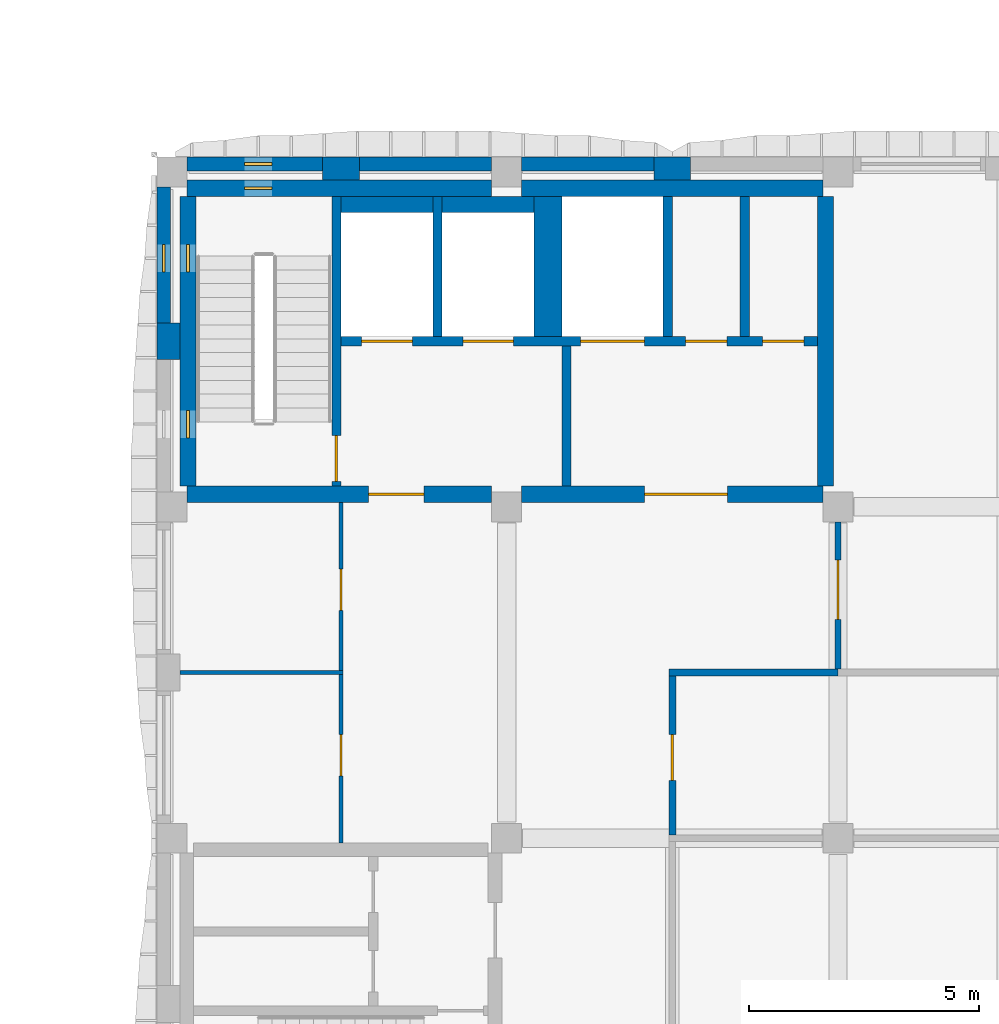
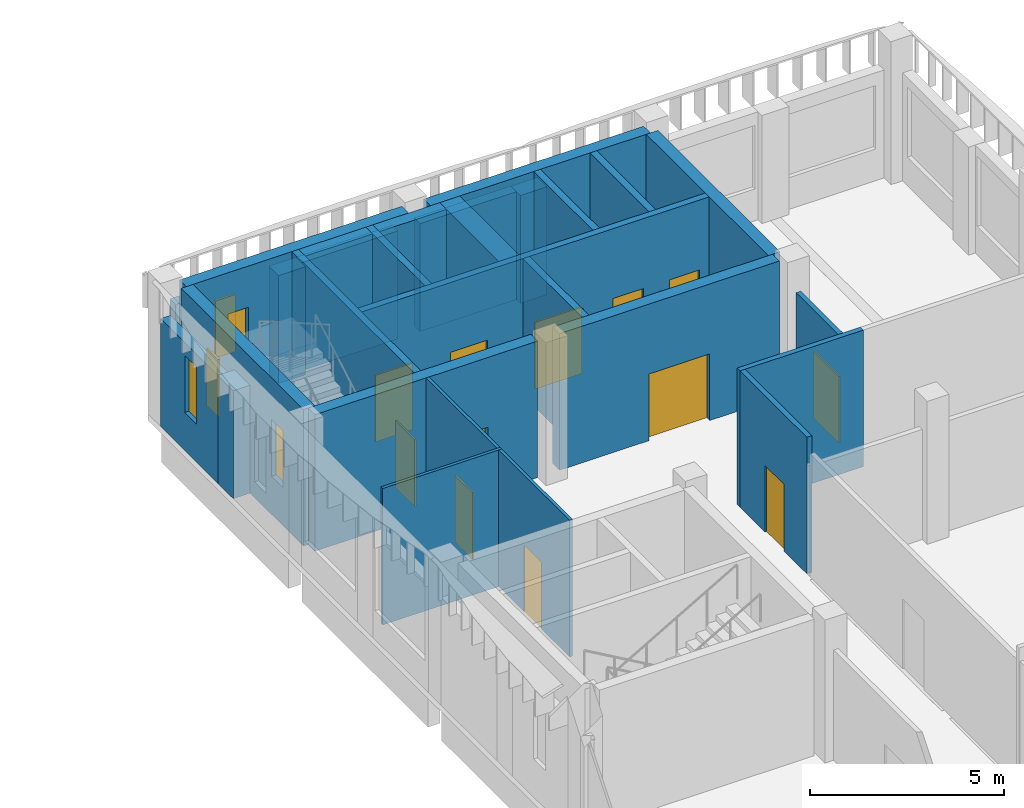
# One storey, part 15 of 30: 28 walls, 12 doors, 5 windows, 17 openings.
"""IFC4 building model written with IfcOpenShell, lengths in metres."""

from ifc_helpers import new_model, si_unit, direction, frame, frame_2d, origin, place, context, subcontext, project, spatial, rectangle, extrude, material, layer, layer_set, type_object, element, fill, save


model = new_model("IFC4")

# Units and contexts
model_context = context("Model", 3, precision=1e-05, world=origin(), true_north=direction((0.0, 1.0)))
body_context = subcontext(model_context, "Body", "Model", "MODEL_VIEW")
ifc_project = project(units=[si_unit("LENGTHUNIT", "METRE"), si_unit("AREAUNIT", "SQUARE_METRE"), si_unit("VOLUMEUNIT", "CUBIC_METRE"), si_unit("PLANEANGLEUNIT", "RADIAN"), si_unit("MASSUNIT", "GRAM", prefix="KILO")], contexts=[model_context])

# Site, building, storey
site_placement = place(None, origin())
site = spatial("IfcSite", under=ifc_project, at=site_placement, CompositionType="ELEMENT")
building_placement = place(site_placement, origin())
building = spatial("IfcBuilding", under=site, at=building_placement, Name="Ussher Court Research Institute", CompositionType="ELEMENT")
storey_placement = place(building_placement, frame((0.0, 0.0, 27.89990234375)))
storey = spatial("IfcBuildingStorey", under=building, at=storey_placement, Name="L06", CompositionType="ELEMENT", Elevation=27.89990234375)

# Wall, opening, window
ifc_material_1 = material(Name="Limestone facing on blockwork", Category="masonry")
ifc_layer_1 = layer(ifc_material_1, 0.300048828125)
ifc_layer_set_1 = layer_set([ifc_layer_1], Name="Limestone facing on blockwork")
wall_type_1 = type_object("IfcWallType", Name="External wall 300 stair enclosure", PredefinedType="SOLIDWALL", material=ifc_layer_set_1)
wall_1_placement = place(storey_placement, frame((81.949951171875, 29.60009765625, 0.0), z_axis=(0.0, 0.0, 1.0), x_axis=(0.0, 1.0, 0.0)))
wall_1 = element("IfcWall", 1, at=wall_1_placement, inside=storey, type_object=wall_type_1, Name="External wall EW5 L06", PredefinedType="SOLIDWALL", context=body_context, shape_type="SweptSolid", body=[
    extrude(rectangle(XDim=2.949951171875, YDim=0.300048828125, at=frame_2d((1.47509765625, 0.0))), origin(), (0.0, 0.0, 1.0), 3.400146484375),
])
opening_1_placement = place(wall_1_placement, frame((1.10009765625, 0.0, 1.199951171875)))
opening_1 = element("IfcOpeningElement", 2, at=opening_1_placement, cuts=wall_1, Name="Opening W25", PredefinedType="OPENING", context=body_context, shape_type="SweptSolid", body=[
    extrude(rectangle(XDim=0.60009765625, YDim=1.800048828125, at=frame_2d((0.300048828125, 0.89990234375))), frame((0.0, 0.16015625, 0.0), z_axis=(0.0, -1.0, 0.0), x_axis=(1.0, 0.0, 0.0)), (0.0, 0.0, 1.0), 0.320068359375),
])
ifc_material_2 = material(Name="Bronze anodised aluminium with double glazing", Category="aluminium")
window_type = type_object("IfcWindowType", Name="Stair light slot window 600x1800 fire-resisting glazing", PartitioningType="SINGLE_PANEL", PredefinedType="WINDOW", material=ifc_material_2)
window_1_placement = place(opening_1_placement, origin())
window_1 = element("IfcWindow", 3, at=window_1_placement, inside=storey, type_object=window_type, Name="Window W25 L06", OverallHeight=1.800048828125, OverallWidth=0.60009765625, PartitioningType="SINGLE_PANEL", PredefinedType="WINDOW", context=body_context, shape_type="SweptSolid", body=[
    extrude(rectangle(XDim=0.60009765625, YDim=1.800048828125, at=frame_2d((0.300048828125, 0.89990234375))), frame((0.0, 0.030029296875, 0.0), z_axis=(0.0, -1.0, 0.0), x_axis=(1.0, 0.0, 0.0)), (0.0, 0.0, 1.0), 0.06005859375),
])
fill(opening_1, window_1)

wall_2_placement = place(storey_placement, frame((82.449951171875, 33.050048828125, 0.0), z_axis=(0.0, 0.0, 1.0), x_axis=(1.0, 0.0, 0.0)))
wall_2 = element("IfcWall", 4, at=wall_2_placement, inside=storey, type_object=wall_type_1, Name="External wall EW5 L06", PredefinedType="SOLIDWALL", context=body_context, shape_type="SweptSolid", body=[
    extrude(rectangle(XDim=2.949951171875, YDim=0.300048828125, at=frame_2d((1.47509765625, 0.0))), origin(), (0.0, 0.0, 1.0), 3.400146484375),
])
opening_2_placement = place(wall_2_placement, frame((1.25, 0.0, 1.199951171875)))
opening_2 = element("IfcOpeningElement", 5, at=opening_2_placement, cuts=wall_2, Name="Opening W25", PredefinedType="OPENING", context=body_context, shape_type="SweptSolid", body=[
    extrude(rectangle(XDim=0.60009765625, YDim=1.800048828125, at=frame_2d((0.300048828125, 0.89990234375))), frame((0.0, 0.16015625, 0.0), z_axis=(0.0, -1.0, 0.0), x_axis=(1.0, 0.0, 0.0)), (0.0, 0.0, 1.0), 0.320068359375),
])
window_2_placement = place(opening_2_placement, origin())
window_2 = element("IfcWindow", 6, at=window_2_placement, inside=storey, type_object=window_type, Name="Window W25 L06", OverallHeight=1.800048828125, OverallWidth=0.60009765625, PartitioningType="SINGLE_PANEL", PredefinedType="WINDOW", context=body_context, shape_type="SweptSolid", body=[
    extrude(rectangle(XDim=0.60009765625, YDim=1.800048828125, at=frame_2d((0.300048828125, 0.89990234375))), frame((0.0, 0.030029296875, 0.0), z_axis=(0.0, -1.0, 0.0), x_axis=(1.0, 0.0, 0.0)), (0.0, 0.0, 1.0), 0.06005859375),
])
fill(opening_2, window_2)

# Walls
for number, where, z_axis, x_axis, name in (
    (7, (86.199951171875, 33.050048828125, 0.0), (0.0, 0.0, 1.0), (1.0, 0.0, 0.0), "External wall EW5 L06"),
    (8, (89.72509765625, 33.050048828125, 0.0), (0.0, 0.0, 1.0), (1.0, 0.0, 0.0), "External wall EW5 L06"),
):
    element("IfcWall", number, at=place(storey_placement, frame(where, z_axis=z_axis, x_axis=x_axis)), inside=storey, type_object=wall_type_1, Name=name, PredefinedType="SOLIDWALL", context=body_context, shape_type="SweptSolid", body=[
        extrude(rectangle(XDim=2.875, YDim=0.300048828125, at=frame_2d((1.4375, 0.0))), origin(), (0.0, 0.0, 1.0), 3.400146484375),
    ])
ifc_material_3 = material(Name="Plastered blockwork", Category="masonry")
ifc_layer_2 = layer(ifc_material_3, 0.14990234375)
ifc_layer_set_2 = layer_set([ifc_layer_2], Name="Plastered blockwork")
wall_type_2 = type_object("IfcWallType", Name="Fire partition blockwork 150 EI 60", PredefinedType="PARTITIONING", material=ifc_layer_set_2)
wall_3_placement = place(storey_placement, frame((92.925048828125, 22.0, 0.0), z_axis=(0.0, 0.0, 1.0), x_axis=(1.0, 0.0, 0.0)))
element("IfcWall", 9, at=wall_3_placement, inside=storey, type_object=wall_type_2, Name="Fire partition", PredefinedType="PARTITIONING", context=body_context, shape_type="SweptSolid", body=[
    extrude(rectangle(XDim=3.675048828125, YDim=0.14990234375, at=frame_2d((1.83740234375, 0.0))), origin(), (0.0, 0.0, 1.0), 4.300048828125),
])

# Wall, opening, door
wall_4_placement = place(storey_placement, frame((93.0, 21.925048828125, 0.0), z_axis=(0.0, 0.0, 1.0), x_axis=(0.0, -1.0, 0.0)))
wall_4 = element("IfcWall", 10, at=wall_4_placement, inside=storey, type_object=wall_type_2, Name="Fire partition", PredefinedType="PARTITIONING", context=body_context, shape_type="SweptSolid", body=[
    extrude(rectangle(XDim=3.449951171875, YDim=0.14990234375, at=frame_2d((1.72509765625, 0.0))), origin(), (0.0, 0.0, 1.0), 4.300048828125),
])
opening_3_placement = place(wall_4_placement, frame((1.27490234375, 0.0, 0.0)))
opening_3 = element("IfcOpeningElement", 11, at=opening_3_placement, cuts=wall_4, Name="Opening D06036", PredefinedType="OPENING", context=body_context, shape_type="SweptSolid", body=[
    extrude(rectangle(XDim=1.0, YDim=2.10009765625, at=frame_2d((0.5, 1.050048828125))), frame((0.0, 0.0849609375, 0.0), z_axis=(0.0, -1.0, 0.0), x_axis=(1.0, 0.0, 0.0)), (0.0, 0.0, 1.0), 0.169921875),
])
ifc_material_4 = material(Name="Painted steel faced fire door", Category="steel")
door_type_1 = type_object("IfcDoorType", Name="Store door 1000x2100 FD60", OperationType="NOTDEFINED", PredefinedType="DOOR", material=ifc_material_4)
door_1_placement = place(opening_3_placement, origin())
door_1 = element("IfcDoor", 12, at=door_1_placement, inside=storey, type_object=door_type_1, Name="Door D06036", OperationType="SINGLE_SWING_RIGHT", OverallHeight=2.10009765625, OverallWidth=1.0, PredefinedType="DOOR", context=body_context, shape_type="SweptSolid", body=[
    extrude(rectangle(XDim=1.0, YDim=2.10009765625, at=frame_2d((0.5, 1.050048828125))), frame((0.0, 0.02490234375, 0.0), z_axis=(0.0, -1.0, 0.0), x_axis=(1.0, 0.0, 0.0)), (0.0, 0.0, 1.0), 0.050048828125),
])
fill(opening_3, door_1)

ifc_material_5 = material(Name="Plastered blockwork", Category="masonry")
ifc_layer_3 = layer(ifc_material_5, 0.139892578125)
ifc_layer_set_3 = layer_set([ifc_layer_3], Name="Plastered blockwork")
wall_type_3 = type_object("IfcWallType", Name="Laboratory blockwork partition 140", PredefinedType="PARTITIONING", material=ifc_layer_set_3)
wall_5_placement = place(storey_placement, frame((96.60009765625, 25.27490234375, 0.0), z_axis=(0.0, 0.0, 1.0), x_axis=(0.0, -1.0, 0.0)))
wall_5 = element("IfcWall", 13, at=wall_5_placement, inside=storey, type_object=wall_type_3, Name="Partition", PredefinedType="PARTITIONING", context=body_context, shape_type="SweptSolid", body=[
    extrude(rectangle(XDim=3.199951171875, YDim=0.139892578125, at=frame_2d((1.60009765625, 0.0))), origin(), (0.0, 0.0, 1.0), 3.47021484375),
])
opening_4_placement = place(wall_5_placement, frame((0.824951171875, 0.0, 0.0)))
opening_4 = element("IfcOpeningElement", 14, at=opening_4_placement, cuts=wall_5, Name="Opening D06040", PredefinedType="OPENING", context=body_context, shape_type="SweptSolid", body=[
    extrude(rectangle(XDim=1.300048828125, YDim=2.10009765625, at=frame_2d((0.64990234375, 1.050048828125))), frame((0.0, 0.080078125, 0.0), z_axis=(0.0, -1.0, 0.0), x_axis=(1.0, 0.0, 0.0)), (0.0, 0.0, 1.0), 0.159912109375),
])
ifc_material_6 = material(Name="Veneered timber door", Category="wood")
door_type_2 = type_object("IfcDoorType", Name="Specimen laboratory door 1300x2100", OperationType="NOTDEFINED", PredefinedType="DOOR", material=ifc_material_6)
door_2_placement = place(opening_4_placement, origin())
door_2 = element("IfcDoor", 15, at=door_2_placement, inside=storey, type_object=door_type_2, Name="Door D06040", OperationType="SINGLE_SWING_LEFT", OverallHeight=2.10009765625, OverallWidth=1.300048828125, PredefinedType="DOOR", context=body_context, shape_type="SweptSolid", body=[
    extrude(rectangle(XDim=1.300048828125, YDim=2.10009765625, at=frame_2d((0.64990234375, 1.050048828125))), frame((0.0, 0.02490234375, 0.0), z_axis=(0.0, -1.0, 0.0), x_axis=(1.0, 0.0, 0.0)), (0.0, 0.0, 1.0), 0.050048828125),
])
fill(opening_4, door_2)

# Walls
ifc_material_7 = material(Name="Blockwork with cream render", Category="masonry")
ifc_layer_4 = layer(ifc_material_7, 0.5)
ifc_layer_set_4 = layer_set([ifc_layer_4], Name="Blockwork with cream render")
wall_type_4 = type_object("IfcWallType", Name="Pier 800x500 cream render", PredefinedType="SOLIDWALL", material=ifc_layer_set_4)
for number, where, z_axis, x_axis, name in (
    (16, (82.050048828125, 28.800048828125, 0.0), (0.0, 0.0, 1.0), (0.0, 1.0, 0.0), "Pier PR1 L06"),
    (17, (85.39990234375, 32.949951171875, 0.0), (0.0, 0.0, 1.0), (1.0, 0.0, 0.0), "Pier PR1 L06"),
):
    element("IfcWall", number, at=place(storey_placement, frame(where, z_axis=z_axis, x_axis=x_axis)), inside=storey, type_object=wall_type_4, Name=name, PredefinedType="SOLIDWALL", context=body_context, shape_type="SweptSolid", body=[
        extrude(rectangle(XDim=0.800048828125, YDim=0.5, at=frame_2d((0.39990234375, 0.0))), origin(), (0.0, 0.0, 1.0), 3.400146484375),
    ])
wall_6_placement = place(storey_placement, frame((92.60009765625, 32.949951171875, 0.0), z_axis=(0.0, 0.0, 1.0), x_axis=(1.0, 0.0, 0.0)))
element("IfcWall", 18, at=wall_6_placement, inside=storey, type_object=wall_type_4, Name="Pier PR1 L06", PredefinedType="SOLIDWALL", context=body_context, shape_type="SweptSolid", body=[
    extrude(rectangle(XDim=0.7998046875, YDim=0.5, at=frame_2d((0.39990234375, 0.0))), origin(), (0.0, 0.0, 1.0), 3.400146484375),
])

# Wall, opening, door
ifc_material_8 = material(Name="Concrete C35/45", Category="concrete")
ifc_layer_5 = layer(ifc_material_8, 0.199951171875)
ifc_layer_set_5 = layer_set([ifc_layer_5], Name="Concrete C35/45")
wall_type_5 = type_object("IfcWallType", Name="RC core wall 200", PredefinedType="SHEAR", material=ifc_layer_set_5)
wall_7_placement = place(storey_placement, frame((85.699951171875, 26.050048828125, 0.0), z_axis=(0.0, 0.0, 1.0), x_axis=(0.0, 1.0, 0.0)))
wall_7 = element("IfcWall", 19, at=wall_7_placement, inside=storey, type_object=wall_type_5, Name="Core wall T1", PredefinedType="SHEAR", context=body_context, shape_type="SweptSolid", body=[
    extrude(rectangle(XDim=6.300048828125, YDim=0.199951171875, at=frame_2d((3.14990234375, 0.0))), origin(), (0.0, 0.0, 1.0), 4.300048828125),
])
opening_5_placement = place(wall_7_placement, frame((0.10009765625, 0.0, 0.0)))
opening_5 = element("IfcOpeningElement", 20, at=opening_5_placement, cuts=wall_7, Name="Opening D06025", PredefinedType="OPENING", context=body_context, shape_type="SweptSolid", body=[
    extrude(rectangle(XDim=1.0, YDim=2.10009765625, at=frame_2d((0.5, 1.050048828125))), frame((0.0, 0.10986328125, 0.0), z_axis=(0.0, -1.0, 0.0), x_axis=(1.0, 0.0, 0.0)), (0.0, 0.0, 1.0), 0.219970703125),
])
ifc_material_9 = material(Name="Painted steel faced fire door", Category="steel")
door_type_3 = type_object("IfcDoorType", Name="Fire door 1000x2100 FD60", OperationType="NOTDEFINED", PredefinedType="DOOR", material=ifc_material_9)
door_3_placement = place(opening_5_placement, origin())
door_3 = element("IfcDoor", 21, at=door_3_placement, inside=storey, type_object=door_type_3, Name="Door D06025", OperationType="SINGLE_SWING_LEFT", OverallHeight=2.10009765625, OverallWidth=1.0, PredefinedType="DOOR", context=body_context, shape_type="SweptSolid", body=[
    extrude(rectangle(XDim=1.0, YDim=2.10009765625, at=frame_2d((0.5, 1.050048828125))), frame((0.0, 0.02490234375, 0.0), z_axis=(0.0, -1.0, 0.0), x_axis=(1.0, 0.0, 0.0)), (0.0, 0.0, 1.0), 0.050048828125),
])
fill(opening_5, door_3)

# Wall
wall_8_placement = place(storey_placement, frame((90.699951171875, 26.050048828125, 0.0), z_axis=(0.0, 0.0, 1.0), x_axis=(0.0, 1.0, 0.0)))
element("IfcWall", 22, at=wall_8_placement, inside=storey, type_object=wall_type_5, Name="Core wall T1", PredefinedType="SHEAR", context=body_context, shape_type="SweptSolid", body=[
    extrude(rectangle(XDim=3.050048828125, YDim=0.199951171875, at=frame_2d((1.52490234375, 0.0))), origin(), (0.0, 0.0, 1.0), 4.300048828125),
])

# Wall, openings, doors
wall_9_placement = place(storey_placement, frame((96.14990234375, 29.199951171875, 0.0), z_axis=(0.0, 0.0, 1.0), x_axis=(-1.0, 0.0, 0.0)))
wall_9 = element("IfcWall", 23, at=wall_9_placement, inside=storey, type_object=wall_type_5, Name="Core wall T1", PredefinedType="SHEAR", context=body_context, shape_type="SweptSolid", body=[
    extrude(rectangle(XDim=10.349853515625, YDim=0.199951171875, at=frame_2d((5.1748046875, 0.0))), origin(), (0.0, 0.0, 1.0), 4.300048828125),
])
opening_6_placement = place(wall_9_placement, frame((8.800048828125, 0.0, 0.0)))
opening_6 = element("IfcOpeningElement", 24, at=opening_6_placement, cuts=wall_9, Name="Opening LD68", PredefinedType="OPENING", context=body_context, shape_type="SweptSolid", body=[
    extrude(rectangle(XDim=1.10009765625, YDim=2.10009765625, at=frame_2d((0.550048828125, 1.050048828125))), frame((0.0, 0.10986328125, 0.0), z_axis=(0.0, -1.0, 0.0), x_axis=(1.0, 0.0, 0.0)), (0.0, 0.0, 1.0), 0.219970703125),
])
opening_7_placement = place(wall_9_placement, frame((6.60009765625, 0.0, 0.0)))
opening_7 = element("IfcOpeningElement", 25, at=opening_7_placement, cuts=wall_9, Name="Opening LD69", PredefinedType="OPENING", context=body_context, shape_type="SweptSolid", body=[
    extrude(rectangle(XDim=1.10009765625, YDim=2.10009765625, at=frame_2d((0.550048828125, 1.050048828125))), frame((0.0, 0.10986328125, 0.0), z_axis=(0.0, -1.0, 0.0), x_axis=(1.0, 0.0, 0.0)), (0.0, 0.0, 1.0), 0.219970703125),
])
opening_8_placement = place(wall_9_placement, frame((3.75, 0.0, 0.0)))
opening_8 = element("IfcOpeningElement", 26, at=opening_8_placement, cuts=wall_9, Name="Opening LD70", PredefinedType="OPENING", context=body_context, shape_type="SweptSolid", body=[
    extrude(rectangle(XDim=1.39990234375, YDim=2.10009765625, at=frame_2d((0.699951171875, 1.050048828125))), frame((0.0, 0.10986328125, 0.0), z_axis=(0.0, -1.0, 0.0), x_axis=(1.0, 0.0, 0.0)), (0.0, 0.0, 1.0), 0.219970703125),
])
opening_9_placement = place(wall_9_placement, frame((1.96240234375, 0.0, 0.0)))
opening_9 = element("IfcOpeningElement", 27, at=opening_9_placement, cuts=wall_9, Name="Opening D06038", PredefinedType="OPENING", context=body_context, shape_type="SweptSolid", body=[
    extrude(rectangle(XDim=0.89990234375, YDim=2.10009765625, at=frame_2d((0.449951171875, 1.050048828125))), frame((0.0, 0.10986328125, 0.0), z_axis=(0.0, -1.0, 0.0), x_axis=(1.0, 0.0, 0.0)), (0.0, 0.0, 1.0), 0.219970703125),
])
opening_10_placement = place(wall_9_placement, frame((0.28759765625, 0.0, 0.0)))
opening_10 = element("IfcOpeningElement", 28, at=opening_10_placement, cuts=wall_9, Name="Opening D06039", PredefinedType="OPENING", context=body_context, shape_type="SweptSolid", body=[
    extrude(rectangle(XDim=0.89990234375, YDim=2.10009765625, at=frame_2d((0.449951171875, 1.050048828125))), frame((0.0, 0.10986328125, 0.0), z_axis=(0.0, -1.0, 0.0), x_axis=(1.0, 0.0, 0.0)), (0.0, 0.0, 1.0), 0.219970703125),
])
ifc_material_10 = material(Name="Painted steel faced fire door", Category="steel")
door_type_4 = type_object("IfcDoorType", Name="Fire door 900x2100 FD60", OperationType="NOTDEFINED", PredefinedType="DOOR", material=ifc_material_10)
door_4_placement = place(opening_9_placement, origin())
door_4 = element("IfcDoor", 29, at=door_4_placement, inside=storey, type_object=door_type_4, Name="Door D06038", OperationType="SINGLE_SWING_LEFT", OverallHeight=2.10009765625, OverallWidth=0.89990234375, PredefinedType="DOOR", context=body_context, shape_type="SweptSolid", body=[
    extrude(rectangle(XDim=0.89990234375, YDim=2.10009765625, at=frame_2d((0.449951171875, 1.050048828125))), frame((0.0, 0.02490234375, 0.0), z_axis=(0.0, -1.0, 0.0), x_axis=(1.0, 0.0, 0.0)), (0.0, 0.0, 1.0), 0.050048828125),
])
fill(opening_9, door_4)
door_5_placement = place(opening_10_placement, origin())
door_5 = element("IfcDoor", 30, at=door_5_placement, inside=storey, type_object=door_type_4, Name="Door D06039", OperationType="SINGLE_SWING_LEFT", OverallHeight=2.10009765625, OverallWidth=0.89990234375, PredefinedType="DOOR", context=body_context, shape_type="SweptSolid", body=[
    extrude(rectangle(XDim=0.89990234375, YDim=2.10009765625, at=frame_2d((0.449951171875, 1.050048828125))), frame((0.0, 0.02490234375, 0.0), z_axis=(0.0, -1.0, 0.0), x_axis=(1.0, 0.0, 0.0)), (0.0, 0.0, 1.0), 0.050048828125),
])
fill(opening_10, door_5)
ifc_material_11 = material(Name="Stainless steel lift door", Category="steel")
door_type_5 = type_object("IfcDoorType", Name="Lift landing door 1100x2100 sliding", OperationType="DOUBLE_DOOR_SLIDING", PredefinedType="DOOR", material=ifc_material_11)
door_6_placement = place(opening_6_placement, origin())
door_6 = element("IfcDoor", 31, at=door_6_placement, inside=storey, type_object=door_type_5, Name="Landing door T1-1 L06", OperationType="DOUBLE_DOOR_SLIDING", OverallHeight=2.10009765625, OverallWidth=1.10009765625, PredefinedType="DOOR", context=body_context, shape_type="SweptSolid", body=[
    extrude(rectangle(XDim=1.10009765625, YDim=2.10009765625, at=frame_2d((0.550048828125, 1.050048828125))), frame((0.0, 0.02490234375, 0.0), z_axis=(0.0, -1.0, 0.0), x_axis=(1.0, 0.0, 0.0)), (0.0, 0.0, 1.0), 0.050048828125),
])
fill(opening_6, door_6)
door_7_placement = place(opening_7_placement, origin())
door_7 = element("IfcDoor", 32, at=door_7_placement, inside=storey, type_object=door_type_5, Name="Landing door T1-2 L06", OperationType="DOUBLE_DOOR_SLIDING", OverallHeight=2.10009765625, OverallWidth=1.10009765625, PredefinedType="DOOR", context=body_context, shape_type="SweptSolid", body=[
    extrude(rectangle(XDim=1.10009765625, YDim=2.10009765625, at=frame_2d((0.550048828125, 1.050048828125))), frame((0.0, 0.02490234375, 0.0), z_axis=(0.0, -1.0, 0.0), x_axis=(1.0, 0.0, 0.0)), (0.0, 0.0, 1.0), 0.050048828125),
])
fill(opening_7, door_7)
ifc_material_12 = material(Name="Stainless steel lift door", Category="steel")
door_type_6 = type_object("IfcDoorType", Name="Lift landing door 1400x2100 sliding", OperationType="DOUBLE_DOOR_SLIDING", PredefinedType="DOOR", material=ifc_material_12)
door_8_placement = place(opening_8_placement, origin())
door_8 = element("IfcDoor", 33, at=door_8_placement, inside=storey, type_object=door_type_6, Name="Landing door T1-3 L06", OperationType="DOUBLE_DOOR_SLIDING", OverallHeight=2.10009765625, OverallWidth=1.39990234375, PredefinedType="DOOR", context=body_context, shape_type="SweptSolid", body=[
    extrude(rectangle(XDim=1.39990234375, YDim=2.10009765625, at=frame_2d((0.699951171875, 1.050048828125))), frame((0.0, 0.02490234375, 0.0), z_axis=(0.0, -1.0, 0.0), x_axis=(1.0, 0.0, 0.0)), (0.0, 0.0, 1.0), 0.050048828125),
])
fill(opening_8, door_8)

# Walls
for number, where, z_axis, x_axis, name in (
    (34, (87.89990234375, 29.300048828125, 0.0), (0.0, 0.0, 1.0), (0.0, 1.0, 0.0), "Core wall T1"),
    (35, (92.89990234375, 29.300048828125, 0.0), (0.0, 0.0, 1.0), (0.0, 1.0, 0.0), "Core wall T1"),
    (36, (94.574951171875, 29.300048828125, 0.0), (0.0, 0.0, 1.0), (0.0, 1.0, 0.0), "Core wall T1"),
):
    element("IfcWall", number, at=place(storey_placement, frame(where, z_axis=z_axis, x_axis=x_axis)), inside=storey, type_object=wall_type_5, Name=name, PredefinedType="SHEAR", context=body_context, shape_type="SweptSolid", body=[
        extrude(rectangle(XDim=3.050048828125, YDim=0.199951171875, at=frame_2d((1.52490234375, 0.0))), origin(), (0.0, 0.0, 1.0), 4.300048828125),
    ])

# Wall, opening, door
ifc_material_13 = material(Name="Concrete C35/45", Category="concrete")
ifc_layer_6 = layer(ifc_material_13, 0.35009765625)
ifc_layer_set_6 = layer_set([ifc_layer_6], Name="Concrete C35/45")
wall_type_6 = type_object("IfcWallType", Name="RC core wall 350", PredefinedType="SHEAR", material=ifc_layer_set_6)
wall_10_placement = place(storey_placement, frame((82.449951171875, 25.875, 0.0), z_axis=(0.0, 0.0, 1.0), x_axis=(1.0, 0.0, 0.0)))
wall_10 = element("IfcWall", 37, at=wall_10_placement, inside=storey, type_object=wall_type_6, Name="Core wall T1", PredefinedType="SHEAR", context=body_context, shape_type="SweptSolid", body=[
    extrude(rectangle(XDim=6.625, YDim=0.35009765625, at=frame_2d((3.3125, 0.0))), origin(), (0.0, 0.0, 1.0), 4.300048828125),
])
opening_11_placement = place(wall_10_placement, frame((3.949951171875, 0.0, 0.0)))
opening_11 = element("IfcOpeningElement", 38, at=opening_11_placement, cuts=wall_10, Name="Opening D06030", PredefinedType="OPENING", context=body_context, shape_type="SweptSolid", body=[
    extrude(rectangle(XDim=1.199951171875, YDim=2.10009765625, at=frame_2d((0.60009765625, 1.050048828125))), frame((0.0, 0.18505859375, 0.0), z_axis=(0.0, -1.0, 0.0), x_axis=(1.0, 0.0, 0.0)), (0.0, 0.0, 1.0), 0.3701171875),
])
ifc_material_14 = material(Name="Painted steel faced fire door", Category="steel")
door_type_7 = type_object("IfcDoorType", Name="Fire door 1200x2100 FD60", OperationType="NOTDEFINED", PredefinedType="DOOR", material=ifc_material_14)
door_9_placement = place(opening_11_placement, origin())
door_9 = element("IfcDoor", 39, at=door_9_placement, inside=storey, type_object=door_type_7, Name="Door D06030", OperationType="SINGLE_SWING_RIGHT", OverallHeight=2.10009765625, OverallWidth=1.199951171875, PredefinedType="DOOR", context=body_context, shape_type="SweptSolid", body=[
    extrude(rectangle(XDim=1.199951171875, YDim=2.10009765625, at=frame_2d((0.60009765625, 1.050048828125))), frame((0.0, 0.02490234375, 0.0), z_axis=(0.0, -1.0, 0.0), x_axis=(1.0, 0.0, 0.0)), (0.0, 0.0, 1.0), 0.050048828125),
])
fill(opening_11, door_9)

wall_11_placement = place(storey_placement, frame((89.72509765625, 25.875, 0.0), z_axis=(0.0, 0.0, 1.0), x_axis=(1.0, 0.0, 0.0)))
wall_11 = element("IfcWall", 40, at=wall_11_placement, inside=storey, type_object=wall_type_6, Name="Core wall T1", PredefinedType="SHEAR", context=body_context, shape_type="SweptSolid", body=[
    extrude(rectangle(XDim=6.5498046875, YDim=0.35009765625, at=frame_2d((3.27490234375, 0.0))), origin(), (0.0, 0.0, 1.0), 4.300048828125),
])
opening_12_placement = place(wall_11_placement, frame((2.675048828125, 0.0, 0.0)))
opening_12 = element("IfcOpeningElement", 41, at=opening_12_placement, cuts=wall_11, Name="Opening D06037", PredefinedType="OPENING", context=body_context, shape_type="SweptSolid", body=[
    extrude(rectangle(XDim=1.800048828125, YDim=2.10009765625, at=frame_2d((0.89990234375, 1.050048828125))), frame((0.0, 0.18505859375, 0.0), z_axis=(0.0, -1.0, 0.0), x_axis=(1.0, 0.0, 0.0)), (0.0, 0.0, 1.0), 0.3701171875),
])
ifc_material_15 = material(Name="Painted steel faced fire door", Category="steel")
door_type_8 = type_object("IfcDoorType", Name="Fire door 1800x2100 FD60 double leaf", OperationType="DOUBLE_DOOR_SINGLE_SWING", PredefinedType="DOOR", material=ifc_material_15)
door_10_placement = place(opening_12_placement, origin())
door_10 = element("IfcDoor", 42, at=door_10_placement, inside=storey, type_object=door_type_8, Name="Door D06037", OperationType="SINGLE_SWING_LEFT", OverallHeight=2.10009765625, OverallWidth=1.800048828125, PredefinedType="DOOR", context=body_context, shape_type="SweptSolid", body=[
    extrude(rectangle(XDim=1.800048828125, YDim=2.10009765625, at=frame_2d((0.89990234375, 1.050048828125))), frame((0.0, 0.02490234375, 0.0), z_axis=(0.0, -1.0, 0.0), x_axis=(1.0, 0.0, 0.0)), (0.0, 0.0, 1.0), 0.050048828125),
])
fill(opening_12, door_10)

# Wall, opening, window
wall_12_placement = place(storey_placement, frame((82.449951171875, 32.52490234375, 0.0), z_axis=(0.0, 0.0, 1.0), x_axis=(1.0, 0.0, 0.0)))
wall_12 = element("IfcWall", 43, at=wall_12_placement, inside=storey, type_object=wall_type_6, Name="Core wall T1", PredefinedType="SHEAR", context=body_context, shape_type="SweptSolid", body=[
    extrude(rectangle(XDim=6.625, YDim=0.35009765625, at=frame_2d((3.3125, 0.0))), origin(), (0.0, 0.0, 1.0), 4.300048828125),
])
opening_13_placement = place(wall_12_placement, frame((1.25, 0.0, 1.199951171875)))
opening_13 = element("IfcOpeningElement", 44, at=opening_13_placement, cuts=wall_12, Name="Opening W25", PredefinedType="OPENING", context=body_context, shape_type="SweptSolid", body=[
    extrude(rectangle(XDim=0.60009765625, YDim=1.800048828125, at=frame_2d((0.300048828125, 0.89990234375))), frame((0.0, 0.18505859375, 0.0), z_axis=(0.0, -1.0, 0.0), x_axis=(1.0, 0.0, 0.0)), (0.0, 0.0, 1.0), 0.3701171875),
])
window_3_placement = place(opening_13_placement, origin())
window_3 = element("IfcWindow", 45, at=window_3_placement, inside=storey, type_object=window_type, Name="Window stair light T1 L06", OverallHeight=1.800048828125, OverallWidth=0.60009765625, PartitioningType="SINGLE_PANEL", PredefinedType="WINDOW", context=body_context, shape_type="SweptSolid", body=[
    extrude(rectangle(XDim=0.60009765625, YDim=1.800048828125, at=frame_2d((0.300048828125, 0.89990234375))), frame((0.0, 0.030029296875, 0.0), z_axis=(0.0, -1.0, 0.0), x_axis=(1.0, 0.0, 0.0)), (0.0, 0.0, 1.0), 0.06005859375),
])
fill(opening_13, window_3)

# Wall
wall_13_placement = place(storey_placement, frame((89.72509765625, 32.52490234375, 0.0), z_axis=(0.0, 0.0, 1.0), x_axis=(1.0, 0.0, 0.0)))
element("IfcWall", 46, at=wall_13_placement, inside=storey, type_object=wall_type_6, Name="Core wall T1", PredefinedType="SHEAR", context=body_context, shape_type="SweptSolid", body=[
    extrude(rectangle(XDim=6.5498046875, YDim=0.35009765625, at=frame_2d((3.27490234375, 0.0))), origin(), (0.0, 0.0, 1.0), 4.300048828125),
])

# Wall, openings, windows
wall_14_placement = place(storey_placement, frame((82.47509765625, 26.050048828125, 0.0), z_axis=(0.0, 0.0, 1.0), x_axis=(0.0, 1.0, 0.0)))
wall_14 = element("IfcWall", 47, at=wall_14_placement, inside=storey, type_object=wall_type_6, Name="Core wall T1", PredefinedType="SHEAR", context=body_context, shape_type="SweptSolid", body=[
    extrude(rectangle(XDim=6.300048828125, YDim=0.35009765625, at=frame_2d((3.14990234375, 0.0))), origin(), (0.0, 0.0, 1.0), 4.300048828125),
])
opening_14_placement = place(wall_14_placement, frame((1.050048828125, 0.0, 1.199951171875)))
opening_14 = element("IfcOpeningElement", 48, at=opening_14_placement, cuts=wall_14, Name="Opening W25", PredefinedType="OPENING", context=body_context, shape_type="SweptSolid", body=[
    extrude(rectangle(XDim=0.60009765625, YDim=1.800048828125, at=frame_2d((0.300048828125, 0.89990234375))), frame((0.0, 0.18505859375, 0.0), z_axis=(0.0, -1.0, 0.0), x_axis=(1.0, 0.0, 0.0)), (0.0, 0.0, 1.0), 0.3701171875),
])
opening_15_placement = place(wall_14_placement, frame((4.64990234375, 0.0, 1.199951171875)))
opening_15 = element("IfcOpeningElement", 49, at=opening_15_placement, cuts=wall_14, Name="Opening W25", PredefinedType="OPENING", context=body_context, shape_type="SweptSolid", body=[
    extrude(rectangle(XDim=0.60009765625, YDim=1.800048828125, at=frame_2d((0.300048828125, 0.89990234375))), frame((0.0, 0.18505859375, 0.0), z_axis=(0.0, -1.0, 0.0), x_axis=(1.0, 0.0, 0.0)), (0.0, 0.0, 1.0), 0.3701171875),
])
window_4_placement = place(opening_14_placement, origin())
window_4 = element("IfcWindow", 50, at=window_4_placement, inside=storey, type_object=window_type, Name="Window stair light T1 L06", OverallHeight=1.800048828125, OverallWidth=0.60009765625, PartitioningType="SINGLE_PANEL", PredefinedType="WINDOW", context=body_context, shape_type="SweptSolid", body=[
    extrude(rectangle(XDim=0.60009765625, YDim=1.800048828125, at=frame_2d((0.300048828125, 0.89990234375))), frame((0.0, 0.030029296875, 0.0), z_axis=(0.0, -1.0, 0.0), x_axis=(1.0, 0.0, 0.0)), (0.0, 0.0, 1.0), 0.06005859375),
])
fill(opening_14, window_4)
window_5_placement = place(opening_15_placement, origin())
window_5 = element("IfcWindow", 51, at=window_5_placement, inside=storey, type_object=window_type, Name="Window stair light T1 L06", OverallHeight=1.800048828125, OverallWidth=0.60009765625, PartitioningType="SINGLE_PANEL", PredefinedType="WINDOW", context=body_context, shape_type="SweptSolid", body=[
    extrude(rectangle(XDim=0.60009765625, YDim=1.800048828125, at=frame_2d((0.300048828125, 0.89990234375))), frame((0.0, 0.030029296875, 0.0), z_axis=(0.0, -1.0, 0.0), x_axis=(1.0, 0.0, 0.0)), (0.0, 0.0, 1.0), 0.06005859375),
])
fill(opening_15, window_5)

# Walls
wall_15_placement = place(storey_placement, frame((96.324951171875, 26.050048828125, 0.0), z_axis=(0.0, 0.0, 1.0), x_axis=(0.0, 1.0, 0.0)))
element("IfcWall", 52, at=wall_15_placement, inside=storey, type_object=wall_type_6, Name="Core wall T1", PredefinedType="SHEAR", context=body_context, shape_type="SweptSolid", body=[
    extrude(rectangle(XDim=6.300048828125, YDim=0.35009765625, at=frame_2d((3.14990234375, 0.0))), origin(), (0.0, 0.0, 1.0), 4.300048828125),
])
for number, where, z_axis, x_axis, name in (
    (53, (85.800048828125, 32.175048828125, 0.0), (0.0, 0.0, 1.0), (1.0, 0.0, 0.0), "Core wall T1"),
    (54, (88.0, 32.175048828125, 0.0), (0.0, 0.0, 1.0), (1.0, 0.0, 0.0), "Core wall T1"),
):
    element("IfcWall", number, at=place(storey_placement, frame(where, z_axis=z_axis, x_axis=x_axis)), inside=storey, type_object=wall_type_6, Name=name, PredefinedType="SHEAR", context=body_context, shape_type="SweptSolid", body=[
        extrude(rectangle(XDim=2.0, YDim=0.35009765625, at=frame_2d((1.0, 0.0))), origin(), (0.0, 0.0, 1.0), 4.300048828125),
    ])
ifc_material_16 = material(Name="Concrete C35/45", Category="concrete")
ifc_layer_7 = layer(ifc_material_16, 0.60009765625)
ifc_layer_set_7 = layer_set([ifc_layer_7], Name="Concrete C35/45")
wall_type_7 = type_object("IfcWallType", Name="RC core wall 600", PredefinedType="SHEAR", material=ifc_layer_set_7)
wall_16_placement = place(storey_placement, frame((90.300048828125, 29.300048828125, 0.0), z_axis=(0.0, 0.0, 1.0), x_axis=(0.0, 1.0, 0.0)))
element("IfcWall", 55, at=wall_16_placement, inside=storey, type_object=wall_type_7, Name="Core wall T1", PredefinedType="SHEAR", context=body_context, shape_type="SweptSolid", body=[
    extrude(rectangle(XDim=3.050048828125, YDim=0.60009765625, at=frame_2d((1.52490234375, 0.0))), origin(), (0.0, 0.0, 1.0), 4.300048828125),
])
ifc_material_17 = material(Name="Moisture-resistant board on steel studs", Category="steel")
ifc_layer_8 = layer(ifc_material_17, 0.090087890625)
ifc_layer_set_8 = layer_set([ifc_layer_8], Name="Moisture-resistant board on steel studs")
wall_type_8 = type_object("IfcWallType", Name="WC lining partition 90", PredefinedType="PARTITIONING", material=ifc_layer_set_8)
wall_17_placement = place(storey_placement, frame((82.300048828125, 22.0, 0.0), z_axis=(0.0, 0.0, 1.0), x_axis=(1.0, 0.0, 0.0)))
element("IfcWall", 56, at=wall_17_placement, inside=storey, type_object=wall_type_8, Name="Partition", PredefinedType="PARTITIONING", context=body_context, shape_type="SweptSolid", body=[
    extrude(rectangle(XDim=3.544921875, YDim=0.090087890625, at=frame_2d((1.7724609375, 0.0))), origin(), (0.0, 0.0, 1.0), 4.300048828125),
])

# Wall, opening, door
wall_18_placement = place(storey_placement, frame((85.800048828125, 18.300048828125, 0.0), z_axis=(0.0, 0.0, 1.0), x_axis=(0.0, 1.0, 0.0)))
wall_18 = element("IfcWall", 57, at=wall_18_placement, inside=storey, type_object=wall_type_8, Name="Partition", PredefinedType="PARTITIONING", context=body_context, shape_type="SweptSolid", body=[
    extrude(rectangle(XDim=3.655029296875, YDim=0.090087890625, at=frame_2d((1.82763671875, 0.0))), origin(), (0.0, 0.0, 1.0), 4.300048828125),
])
opening_16_placement = place(wall_18_placement, frame((1.449951171875, 0.0, 0.0)))
opening_16 = element("IfcOpeningElement", 58, at=opening_16_placement, cuts=wall_18, Name="Opening D06026", PredefinedType="OPENING", context=body_context, shape_type="SweptSolid", body=[
    extrude(rectangle(XDim=0.89990234375, YDim=2.10009765625, at=frame_2d((0.449951171875, 1.050048828125))), frame((0.0, 0.05517578125, 0.0), z_axis=(0.0, -1.0, 0.0), x_axis=(1.0, 0.0, 0.0)), (0.0, 0.0, 1.0), 0.110107421875),
])
ifc_material_18 = material(Name="Veneered timber door", Category="wood")
door_type_9 = type_object("IfcDoorType", Name="WC door 900x2100", OperationType="NOTDEFINED", PredefinedType="DOOR", material=ifc_material_18)
door_11_placement = place(opening_16_placement, origin())
door_11 = element("IfcDoor", 59, at=door_11_placement, inside=storey, type_object=door_type_9, Name="Door D06026", OperationType="SINGLE_SWING_RIGHT", OverallHeight=2.10009765625, OverallWidth=0.89990234375, PredefinedType="DOOR", context=body_context, shape_type="SweptSolid", body=[
    extrude(rectangle(XDim=0.89990234375, YDim=2.10009765625, at=frame_2d((0.449951171875, 1.050048828125))), frame((0.0, 0.02490234375, 0.0), z_axis=(0.0, -1.0, 0.0), x_axis=(1.0, 0.0, 0.0)), (0.0, 0.0, 1.0), 0.050048828125),
])
fill(opening_16, door_11)

wall_19_placement = place(storey_placement, frame((85.800048828125, 22.044921875, 0.0), z_axis=(0.0, 0.0, 1.0), x_axis=(0.0, 1.0, 0.0)))
wall_19 = element("IfcWall", 60, at=wall_19_placement, inside=storey, type_object=wall_type_8, Name="Partition", PredefinedType="PARTITIONING", context=body_context, shape_type="SweptSolid", body=[
    extrude(rectangle(XDim=3.655029296875, YDim=0.090087890625, at=frame_2d((1.82763671875, 0.0))), origin(), (0.0, 0.0, 1.0), 4.300048828125),
])
opening_17_placement = place(wall_19_placement, frame((1.304931640625, 0.0, 0.0)))
opening_17 = element("IfcOpeningElement", 61, at=opening_17_placement, cuts=wall_19, Name="Opening D06027", PredefinedType="OPENING", context=body_context, shape_type="SweptSolid", body=[
    extrude(rectangle(XDim=0.89990234375, YDim=2.10009765625, at=frame_2d((0.449951171875, 1.050048828125))), frame((0.0, 0.05517578125, 0.0), z_axis=(0.0, -1.0, 0.0), x_axis=(1.0, 0.0, 0.0)), (0.0, 0.0, 1.0), 0.110107421875),
])
door_12_placement = place(opening_17_placement, origin())
door_12 = element("IfcDoor", 62, at=door_12_placement, inside=storey, type_object=door_type_9, Name="Door D06027", OperationType="SINGLE_SWING_LEFT", OverallHeight=2.10009765625, OverallWidth=0.89990234375, PredefinedType="DOOR", context=body_context, shape_type="SweptSolid", body=[
    extrude(rectangle(XDim=0.89990234375, YDim=2.10009765625, at=frame_2d((0.449951171875, 1.050048828125))), frame((0.0, 0.02490234375, 0.0), z_axis=(0.0, -1.0, 0.0), x_axis=(1.0, 0.0, 0.0)), (0.0, 0.0, 1.0), 0.050048828125),
])
fill(opening_17, door_12)

save(model, "model.ifc")
